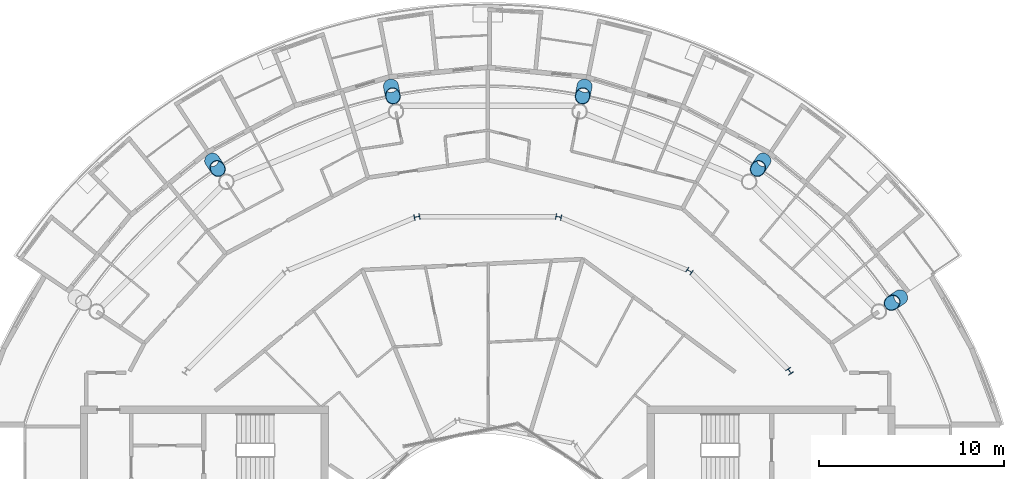
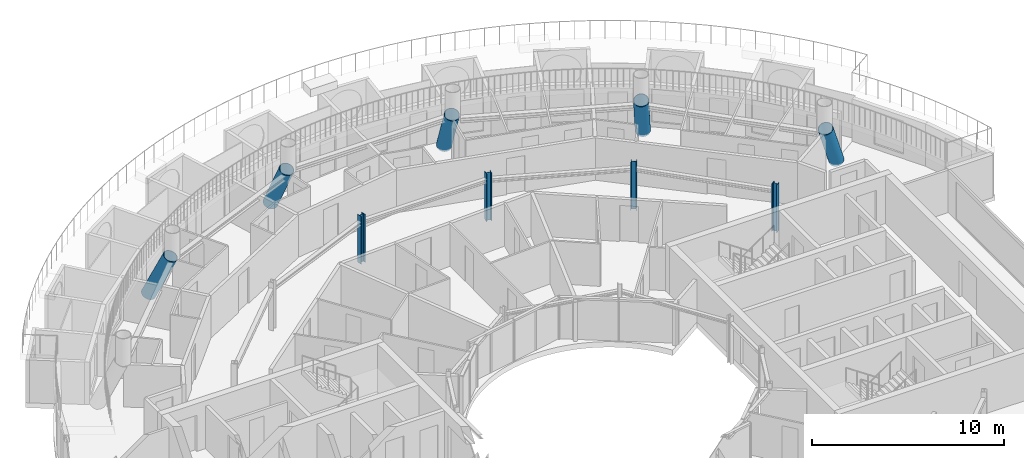
# One storey, part 5 of 29: 9 columns.
"""IFC4 building model written with IfcOpenShell, lengths in metres."""

from ifc_helpers import new_model, si_unit, direction, frame, origin, origin_2d, place, context, subcontext, project, spatial, hollow_circle, i_section, extrude, material, material_profile, profile_set, type_object, element, save


model = new_model("IFC4")

# Units and contexts
model_context = context("Model", 3, precision=1e-05, world=origin(), true_north=direction((0.0, 1.0)))
body_context = subcontext(model_context, "Body", "Model", "MODEL_VIEW")
ifc_project = project(units=[si_unit("LENGTHUNIT", "METRE"), si_unit("AREAUNIT", "SQUARE_METRE"), si_unit("VOLUMEUNIT", "CUBIC_METRE"), si_unit("PLANEANGLEUNIT", "RADIAN"), si_unit("MASSUNIT", "GRAM", prefix="KILO")], contexts=[model_context])

# Site, building, storey
site_placement = place(None, origin())
site = spatial("IfcSite", under=ifc_project, at=site_placement, CompositionType="ELEMENT")
building_placement = place(site_placement, origin())
building = spatial("IfcBuilding", under=site, at=building_placement, Name="Maasbend Ring Residences", CompositionType="ELEMENT")
storey_placement = place(building_placement, frame((0.0, 0.0, 234.050048828125)))
storey = spatial("IfcBuildingStorey", under=building, at=storey_placement, Name="L67", CompositionType="ELEMENT", Elevation=234.050048828125)

# Columns
ifc_material_1 = material(Name="Composite concrete-filled steel tube S460NH / C80/95", Category="concrete")
ifc_material_profile_1 = material_profile(ifc_material_1, hollow_circle(Radius=0.406494140625, WallThickness=0.030029296875, at=origin_2d()), Name="Composite tube column CHS 813x30")
ifc_profile_set_1 = profile_set([ifc_material_profile_1], Name="Composite concrete-filled steel tube S460NH / C80/95")
column_type_1 = type_object("IfcColumnType", Name="Composite tube column CHS 813x30", PredefinedType="COLUMN", material=ifc_profile_set_1)
for number, where, z_axis, x_axis, name in (
    (1, (22.283447265625, 14.889404296875, 0.0), (-0.346913947437, -0.231777820067, 0.908806775502), (0.555532669549, -0.831494710184, 0.0), "Outer column R2"),
    (2, (14.889404296875, 22.283447265625, 0.0), (-0.231777820067, -0.346913947437, 0.908806775502), (0.831494710184, -0.555532669549, 0.0), "Outer column R3"),
):
    element("IfcColumn", number, at=place(storey_placement, frame(where, z_axis=z_axis, x_axis=x_axis)), inside=storey, type_object=column_type_1, Name=name, PredefinedType="COLUMN", context=body_context, shape_type="SweptSolid", body=[
        extrude(hollow_circle(Radius=0.406494140625, WallThickness=0.030029296875, at=origin_2d()), origin(), (0.0, 0.0, 1.0), 3.0810546875),
    ])
for number, where, z_axis, x_axis, name in (
    (3, (5.228515625, 26.284912109375, 0.0), (-0.081382632414, -0.409131968018, 0.908838764516), (0.980784718923, -0.195093144748, 0.0), "Outer column R4"),
    (4, (-5.228515625, 26.284912109375, 0.0), (0.081382632414, -0.409131968018, 0.908838764516), (0.980784718923, 0.195093144748, 0.0), "Outer column R5"),
):
    element("IfcColumn", number, at=place(storey_placement, frame(where, z_axis=z_axis, x_axis=x_axis)), inside=storey, type_object=column_type_1, Name=name, PredefinedType="COLUMN", context=body_context, shape_type="SweptSolid", body=[
        extrude(hollow_circle(Radius=0.406494140625, WallThickness=0.030029296875, at=origin_2d()), origin(), (0.0, 0.0, 1.0), 3.080810546875),
    ])
column_placement = place(storey_placement, frame((-14.889404296875, 22.283447265625, 0.0), z_axis=(0.231777820067, -0.346913947437, 0.908806775502), x_axis=(0.831494710184, 0.555532669549, 0.0)))
element("IfcColumn", 5, at=column_placement, inside=storey, type_object=column_type_1, Name="Outer column R6", PredefinedType="COLUMN", context=body_context, shape_type="SweptSolid", body=[
    extrude(hollow_circle(Radius=0.406494140625, WallThickness=0.030029296875, at=origin_2d()), origin(), (0.0, 0.0, 1.0), 3.0810546875),
])
ifc_material_2 = material(Name="Steel S355J2", Category="steel")
ifc_material_profile_2 = material_profile(ifc_material_2, i_section(OverallWidth=0.300048828125, OverallDepth=0.300048828125, WebThickness=0.010986328125, FlangeThickness=0.01904296875, FilletRadius=0.027099609375, at=origin_2d()), Name="HEB 300")
ifc_profile_set_2 = profile_set([ifc_material_profile_2], Name="Steel S355J2")
column_type_2 = type_object("IfcColumnType", Name="Steel column HEB 300", PredefinedType="COLUMN", material=ifc_profile_set_2)
for number, where, z_axis, x_axis, name in (
    (6, (16.296875, 10.88916015625, 0.0), (0.0, 0.0, 1.0), (0.831469612303, 0.55557023302, 0.0), "Corridor ring column R2"),
    (7, (10.88916015625, 16.296875, 0.0), (0.0, 0.0, 1.0), (0.55557023302, 0.831469612303, 0.0), "Corridor ring column R3"),
    (8, (3.82373046875, 19.223388671875, 0.0), (0.0, 0.0, 1.0), (0.195090322016, 0.980785280403, 0.0), "Corridor ring column R4"),
    (9, (-3.82373046875, 19.223388671875, 0.0), (0.0, 0.0, 1.0), (-0.195090322016, 0.980785280403, 0.0), "Corridor ring column R5"),
):
    element("IfcColumn", number, at=place(storey_placement, frame(where, z_axis=z_axis, x_axis=x_axis)), inside=storey, type_object=column_type_2, Name=name, PredefinedType="COLUMN", context=body_context, shape_type="SweptSolid", body=[
        extrude(i_section(OverallWidth=0.300048828125, OverallDepth=0.300048828125, WebThickness=0.010986328125, FlangeThickness=0.01904296875, FilletRadius=0.027099609375, at=origin_2d()), origin(), (0.0, 0.0, 1.0), 3.050048828125),
    ])

save(model, "model.ifc")
